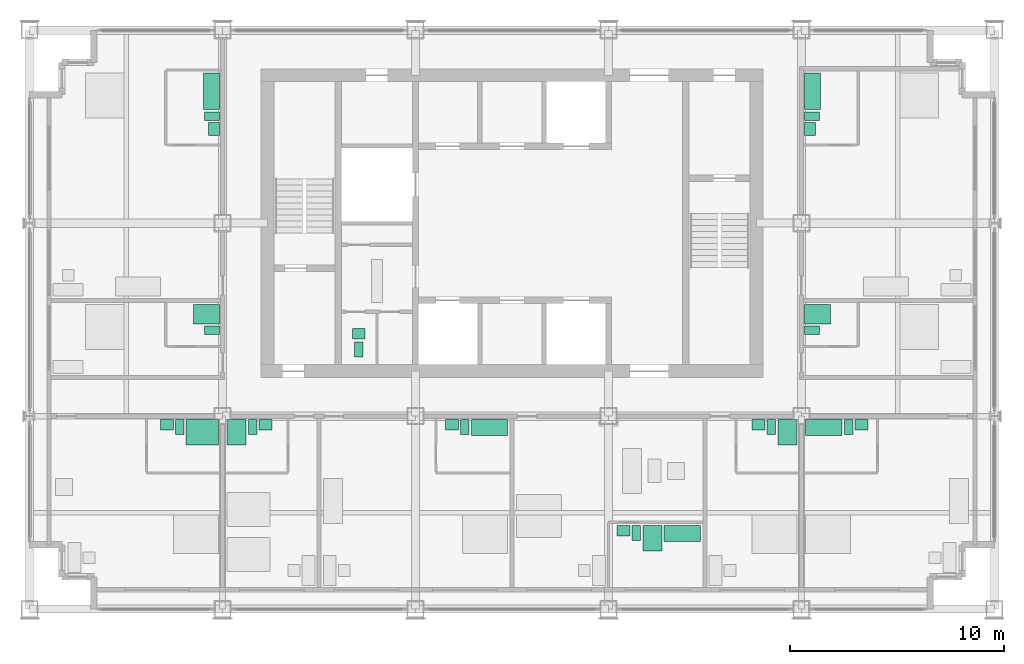
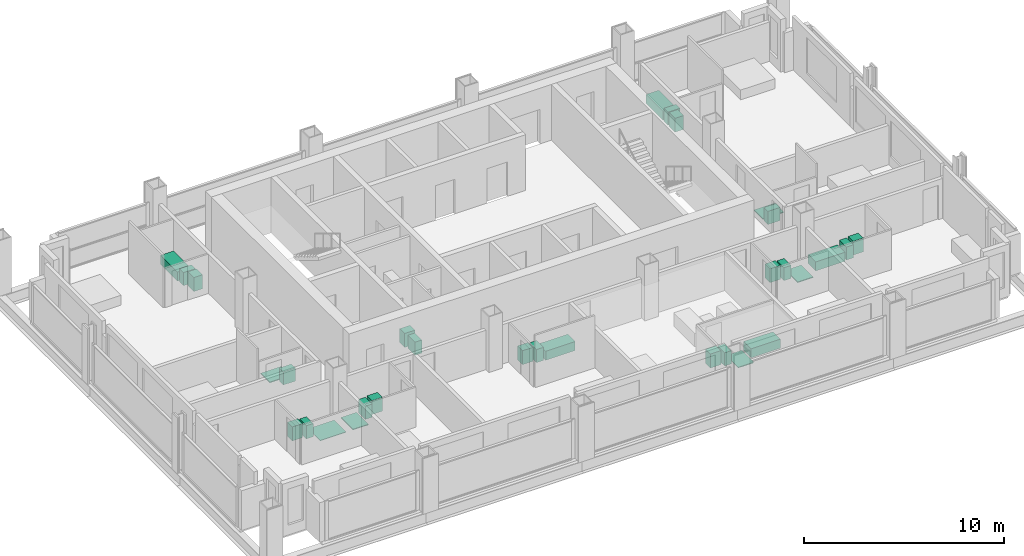
# One storey, part 12 of 13: 31 sanitary terminals.
"""IFC4 building model written with IfcOpenShell, lengths in metres."""

from ifc_helpers import new_model, si_unit, direction, frame, origin, origin_2d, place, context, subcontext, project, spatial, rectangle, extrude, element, save


model = new_model("IFC4")

# Units and contexts
model_context = context("Model", 3, precision=1e-05, world=origin(), true_north=direction((0.0, 1.0)))
body_context = subcontext(model_context, "Body", "Model", "MODEL_VIEW")
ifc_project = project(units=[si_unit("LENGTHUNIT", "METRE"), si_unit("AREAUNIT", "SQUARE_METRE"), si_unit("VOLUMEUNIT", "CUBIC_METRE"), si_unit("PLANEANGLEUNIT", "RADIAN"), si_unit("MASSUNIT", "GRAM", prefix="KILO")], contexts=[model_context])

# Site, building, storey
site_placement = place(None, origin())
site = spatial("IfcSite", under=ifc_project, at=site_placement, CompositionType="ELEMENT")
building_placement = place(site_placement, origin())
building = spatial("IfcBuilding", under=site, at=building_placement, Name="Loomwork Tower", CompositionType="ELEMENT")
storey_placement = place(building_placement, frame((0.0, 0.0, 211.39990234375)))
storey = spatial("IfcBuildingStorey", under=building, at=storey_placement, Name="L58", CompositionType="ELEMENT", Elevation=211.39990234375)

# Sanitary terminals
sanitary_terminal_1_placement = place(storey_placement, frame((8.050048828125, 8.25, 0.0), z_axis=(0.0, 0.0, 1.0), x_axis=(1.0, 0.0, 0.0)))
element("IfcSanitaryTerminal", 1, at=sanitary_terminal_1_placement, inside=storey, Name="Roll-in shower floor L58", PredefinedType="SHOWER", context=body_context, shape_type="SweptSolid", body=[
    extrude(rectangle(XDim=1.5, YDim=1.199951171875, at=origin_2d()), origin(), (0.0, 0.0, 1.0), 0.030029296875),
])
sanitary_terminal_2_placement = place(storey_placement, frame((7.0, 8.5, 0.0), z_axis=(0.0, 0.0, 1.0), x_axis=(1.0, 0.0, 0.0)))
element("IfcSanitaryTerminal", 2, at=sanitary_terminal_2_placement, inside=storey, Name="WC L58", PredefinedType="TOILETPAN", context=body_context, shape_type="SweptSolid", body=[
    extrude(rectangle(XDim=0.39990234375, YDim=0.699951171875, at=origin_2d()), origin(), (0.0, 0.0, 1.0), 0.800048828125),
])
sanitary_terminal_3_placement = place(storey_placement, frame((6.39990234375, 8.60009765625, 0.0), z_axis=(0.0, 0.0, 1.0), x_axis=(1.0, 0.0, 0.0)))
element("IfcSanitaryTerminal", 3, at=sanitary_terminal_3_placement, inside=storey, Name="Basin vanity L58", PredefinedType="WASHHANDBASIN", context=body_context, shape_type="SweptSolid", body=[
    extrude(rectangle(XDim=0.60009765625, YDim=0.5, at=origin_2d()), origin(), (0.0, 0.0, 1.0), 0.85009765625),
])
sanitary_terminal_4_placement = place(storey_placement, frame((9.64990234375, 8.25, 0.0), z_axis=(0.0, 0.0, 1.0), x_axis=(1.0, 0.0, 0.0)))
element("IfcSanitaryTerminal", 4, at=sanitary_terminal_4_placement, inside=storey, Name="Shower tray L58", PredefinedType="SHOWER", context=body_context, shape_type="SweptSolid", body=[
    extrude(rectangle(XDim=0.89990234375, YDim=1.199951171875, at=origin_2d()), origin(), (0.0, 0.0, 1.0), 0.050048828125),
])
sanitary_terminal_5_placement = place(storey_placement, frame((10.39990234375, 8.5, 0.0), z_axis=(0.0, 0.0, 1.0), x_axis=(1.0, 0.0, 0.0)))
element("IfcSanitaryTerminal", 5, at=sanitary_terminal_5_placement, inside=storey, Name="WC L58", PredefinedType="TOILETPAN", context=body_context, shape_type="SweptSolid", body=[
    extrude(rectangle(XDim=0.39990234375, YDim=0.699951171875, at=origin_2d()), origin(), (0.0, 0.0, 1.0), 0.800048828125),
])
sanitary_terminal_6_placement = place(storey_placement, frame((11.0, 8.60009765625, 0.0), z_axis=(0.0, 0.0, 1.0), x_axis=(1.0, 0.0, 0.0)))
element("IfcSanitaryTerminal", 6, at=sanitary_terminal_6_placement, inside=storey, Name="Basin vanity L58", PredefinedType="WASHHANDBASIN", context=body_context, shape_type="SweptSolid", body=[
    extrude(rectangle(XDim=0.60009765625, YDim=0.5, at=origin_2d()), origin(), (0.0, 0.0, 1.0), 0.85009765625),
])
sanitary_terminal_7_placement = place(storey_placement, frame((21.449951171875, 8.47509765625, 0.0), z_axis=(0.0, 0.0, 1.0), x_axis=(1.0, 0.0, 0.0)))
element("IfcSanitaryTerminal", 7, at=sanitary_terminal_7_placement, inside=storey, Name="Bath L58", PredefinedType="BATH", context=body_context, shape_type="SweptSolid", body=[
    extrude(rectangle(XDim=1.699951171875, YDim=0.75, at=origin_2d()), origin(), (0.0, 0.0, 1.0), 0.550048828125),
])
sanitary_terminal_8_placement = place(storey_placement, frame((20.300048828125, 8.5, 0.0), z_axis=(0.0, 0.0, 1.0), x_axis=(1.0, 0.0, 0.0)))
element("IfcSanitaryTerminal", 8, at=sanitary_terminal_8_placement, inside=storey, Name="WC L58", PredefinedType="TOILETPAN", context=body_context, shape_type="SweptSolid", body=[
    extrude(rectangle(XDim=0.39990234375, YDim=0.699951171875, at=origin_2d()), origin(), (0.0, 0.0, 1.0), 0.800048828125),
])
sanitary_terminal_9_placement = place(storey_placement, frame((19.699951171875, 8.60009765625, 0.0), z_axis=(0.0, 0.0, 1.0), x_axis=(1.0, 0.0, 0.0)))
element("IfcSanitaryTerminal", 9, at=sanitary_terminal_9_placement, inside=storey, Name="Basin vanity L58", PredefinedType="WASHHANDBASIN", context=body_context, shape_type="SweptSolid", body=[
    extrude(rectangle(XDim=0.60009765625, YDim=0.5, at=origin_2d()), origin(), (0.0, 0.0, 1.0), 0.85009765625),
])
sanitary_terminal_10_placement = place(storey_placement, frame((30.449951171875, 3.52490234375, 0.0), z_axis=(0.0, 0.0, 1.0), x_axis=(1.0, 0.0, 0.0)))
element("IfcSanitaryTerminal", 10, at=sanitary_terminal_10_placement, inside=storey, Name="Bath L58", PredefinedType="BATH", context=body_context, shape_type="SweptSolid", body=[
    extrude(rectangle(XDim=1.699951171875, YDim=0.75, at=origin_2d()), origin(), (0.0, 0.0, 1.0), 0.550048828125),
])
sanitary_terminal_11_placement = place(storey_placement, frame((29.050048828125, 3.300048828125, 0.0), z_axis=(0.0, 0.0, 1.0), x_axis=(1.0, 0.0, 0.0)))
element("IfcSanitaryTerminal", 11, at=sanitary_terminal_11_placement, inside=storey, Name="Shower tray L58", PredefinedType="SHOWER", context=body_context, shape_type="SweptSolid", body=[
    extrude(rectangle(XDim=0.89990234375, YDim=1.199951171875, at=origin_2d()), origin(), (0.0, 0.0, 1.0), 0.050048828125),
])
sanitary_terminal_12_placement = place(storey_placement, frame((28.300048828125, 3.550048828125, 0.0), z_axis=(0.0, 0.0, 1.0), x_axis=(1.0, 0.0, 0.0)))
element("IfcSanitaryTerminal", 12, at=sanitary_terminal_12_placement, inside=storey, Name="WC L58", PredefinedType="TOILETPAN", context=body_context, shape_type="SweptSolid", body=[
    extrude(rectangle(XDim=0.39990234375, YDim=0.699951171875, at=origin_2d()), origin(), (0.0, 0.0, 1.0), 0.800048828125),
])
sanitary_terminal_13_placement = place(storey_placement, frame((27.699951171875, 3.64990234375, 0.0), z_axis=(0.0, 0.0, 1.0), x_axis=(1.0, 0.0, 0.0)))
element("IfcSanitaryTerminal", 13, at=sanitary_terminal_13_placement, inside=storey, Name="Basin vanity L58", PredefinedType="WASHHANDBASIN", context=body_context, shape_type="SweptSolid", body=[
    extrude(rectangle(XDim=0.60009765625, YDim=0.5, at=origin_2d()), origin(), (0.0, 0.0, 1.0), 0.85009765625),
])
sanitary_terminal_14_placement = place(storey_placement, frame((35.35009765625, 8.25, 0.0), z_axis=(0.0, 0.0, 1.0), x_axis=(1.0, 0.0, 0.0)))
element("IfcSanitaryTerminal", 14, at=sanitary_terminal_14_placement, inside=storey, Name="Shower tray L58", PredefinedType="SHOWER", context=body_context, shape_type="SweptSolid", body=[
    extrude(rectangle(XDim=0.89990234375, YDim=1.199951171875, at=origin_2d()), origin(), (0.0, 0.0, 1.0), 0.050048828125),
])
sanitary_terminal_15_placement = place(storey_placement, frame((34.60009765625, 8.5, 0.0), z_axis=(0.0, 0.0, 1.0), x_axis=(1.0, 0.0, 0.0)))
element("IfcSanitaryTerminal", 15, at=sanitary_terminal_15_placement, inside=storey, Name="WC L58", PredefinedType="TOILETPAN", context=body_context, shape_type="SweptSolid", body=[
    extrude(rectangle(XDim=0.39990234375, YDim=0.699951171875, at=origin_2d()), origin(), (0.0, 0.0, 1.0), 0.800048828125),
])
sanitary_terminal_16_placement = place(storey_placement, frame((34.0, 8.60009765625, 0.0), z_axis=(0.0, 0.0, 1.0), x_axis=(1.0, 0.0, 0.0)))
element("IfcSanitaryTerminal", 16, at=sanitary_terminal_16_placement, inside=storey, Name="Basin vanity L58", PredefinedType="WASHHANDBASIN", context=body_context, shape_type="SweptSolid", body=[
    extrude(rectangle(XDim=0.60009765625, YDim=0.5, at=origin_2d()), origin(), (0.0, 0.0, 1.0), 0.85009765625),
])
sanitary_terminal_17_placement = place(storey_placement, frame((37.050048828125, 8.47509765625, 0.0), z_axis=(0.0, 0.0, 1.0), x_axis=(1.0, 0.0, 0.0)))
element("IfcSanitaryTerminal", 17, at=sanitary_terminal_17_placement, inside=storey, Name="Bath L58", PredefinedType="BATH", context=body_context, shape_type="SweptSolid", body=[
    extrude(rectangle(XDim=1.699951171875, YDim=0.75, at=origin_2d()), origin(), (0.0, 0.0, 1.0), 0.550048828125),
])
sanitary_terminal_18_placement = place(storey_placement, frame((38.199951171875, 8.5, 0.0), z_axis=(0.0, 0.0, 1.0), x_axis=(1.0, 0.0, 0.0)))
element("IfcSanitaryTerminal", 18, at=sanitary_terminal_18_placement, inside=storey, Name="WC L58", PredefinedType="TOILETPAN", context=body_context, shape_type="SweptSolid", body=[
    extrude(rectangle(XDim=0.39990234375, YDim=0.699951171875, at=origin_2d()), origin(), (0.0, 0.0, 1.0), 0.800048828125),
])
sanitary_terminal_19_placement = place(storey_placement, frame((38.800048828125, 8.60009765625, 0.0), z_axis=(0.0, 0.0, 1.0), x_axis=(1.0, 0.0, 0.0)))
element("IfcSanitaryTerminal", 19, at=sanitary_terminal_19_placement, inside=storey, Name="Basin vanity L58", PredefinedType="WASHHANDBASIN", context=body_context, shape_type="SweptSolid", body=[
    extrude(rectangle(XDim=0.60009765625, YDim=0.5, at=origin_2d()), origin(), (0.0, 0.0, 1.0), 0.85009765625),
])
sanitary_terminal_20_placement = place(storey_placement, frame((8.25, 13.75, 0.0), z_axis=(0.0, 0.0, 1.0), x_axis=(1.0, 0.0, 0.0)))
element("IfcSanitaryTerminal", 20, at=sanitary_terminal_20_placement, inside=storey, Name="Shower tray L58", PredefinedType="SHOWER", context=body_context, shape_type="SweptSolid", body=[
    extrude(rectangle(XDim=1.199951171875, YDim=0.89990234375, at=origin_2d()), origin(), (0.0, 0.0, 1.0), 0.050048828125),
])
sanitary_terminal_21_placement = place(storey_placement, frame((8.5, 13.0, 0.0), z_axis=(0.0, 0.0, 1.0), x_axis=(1.0, 0.0, 0.0)))
element("IfcSanitaryTerminal", 21, at=sanitary_terminal_21_placement, inside=storey, Name="WC L58", PredefinedType="TOILETPAN", context=body_context, shape_type="SweptSolid", body=[
    extrude(rectangle(XDim=0.699951171875, YDim=0.39990234375, at=origin_2d()), origin(), (0.0, 0.0, 1.0), 0.800048828125),
])
sanitary_terminal_22_placement = place(storey_placement, frame((8.47509765625, 24.14990234375, 0.0), z_axis=(0.0, 0.0, 1.0), x_axis=(1.0, 0.0, 0.0)))
element("IfcSanitaryTerminal", 22, at=sanitary_terminal_22_placement, inside=storey, Name="Bath L58", PredefinedType="BATH", context=body_context, shape_type="SweptSolid", body=[
    extrude(rectangle(XDim=0.75, YDim=1.699951171875, at=origin_2d()), origin(), (0.0, 0.0, 1.0), 0.550048828125),
])
sanitary_terminal_23_placement = place(storey_placement, frame((8.5, 23.0, 0.0), z_axis=(0.0, 0.0, 1.0), x_axis=(1.0, 0.0, 0.0)))
element("IfcSanitaryTerminal", 23, at=sanitary_terminal_23_placement, inside=storey, Name="WC L58", PredefinedType="TOILETPAN", context=body_context, shape_type="SweptSolid", body=[
    extrude(rectangle(XDim=0.699951171875, YDim=0.39990234375, at=origin_2d()), origin(), (0.0, 0.0, 1.0), 0.800048828125),
])
sanitary_terminal_24_placement = place(storey_placement, frame((8.60009765625, 22.39990234375, 0.0), z_axis=(0.0, 0.0, 1.0), x_axis=(1.0, 0.0, 0.0)))
element("IfcSanitaryTerminal", 24, at=sanitary_terminal_24_placement, inside=storey, Name="Basin vanity L58", PredefinedType="WASHHANDBASIN", context=body_context, shape_type="SweptSolid", body=[
    extrude(rectangle(XDim=0.5, YDim=0.60009765625, at=origin_2d()), origin(), (0.0, 0.0, 1.0), 0.85009765625),
])
sanitary_terminal_25_placement = place(storey_placement, frame((36.75, 13.75, 0.0), z_axis=(0.0, 0.0, 1.0), x_axis=(1.0, 0.0, 0.0)))
element("IfcSanitaryTerminal", 25, at=sanitary_terminal_25_placement, inside=storey, Name="Shower tray L58", PredefinedType="SHOWER", context=body_context, shape_type="SweptSolid", body=[
    extrude(rectangle(XDim=1.199951171875, YDim=0.89990234375, at=origin_2d()), origin(), (0.0, 0.0, 1.0), 0.050048828125),
])
sanitary_terminal_26_placement = place(storey_placement, frame((36.5, 13.0, 0.0), z_axis=(0.0, 0.0, 1.0), x_axis=(1.0, 0.0, 0.0)))
element("IfcSanitaryTerminal", 26, at=sanitary_terminal_26_placement, inside=storey, Name="WC L58", PredefinedType="TOILETPAN", context=body_context, shape_type="SweptSolid", body=[
    extrude(rectangle(XDim=0.699951171875, YDim=0.39990234375, at=origin_2d()), origin(), (0.0, 0.0, 1.0), 0.800048828125),
])
sanitary_terminal_27_placement = place(storey_placement, frame((36.52490234375, 24.14990234375, 0.0), z_axis=(0.0, 0.0, 1.0), x_axis=(1.0, 0.0, 0.0)))
element("IfcSanitaryTerminal", 27, at=sanitary_terminal_27_placement, inside=storey, Name="Bath L58", PredefinedType="BATH", context=body_context, shape_type="SweptSolid", body=[
    extrude(rectangle(XDim=0.75, YDim=1.699951171875, at=origin_2d()), origin(), (0.0, 0.0, 1.0), 0.550048828125),
])
sanitary_terminal_28_placement = place(storey_placement, frame((36.5, 23.0, 0.0), z_axis=(0.0, 0.0, 1.0), x_axis=(1.0, 0.0, 0.0)))
element("IfcSanitaryTerminal", 28, at=sanitary_terminal_28_placement, inside=storey, Name="WC L58", PredefinedType="TOILETPAN", context=body_context, shape_type="SweptSolid", body=[
    extrude(rectangle(XDim=0.699951171875, YDim=0.39990234375, at=origin_2d()), origin(), (0.0, 0.0, 1.0), 0.800048828125),
])
sanitary_terminal_29_placement = place(storey_placement, frame((36.39990234375, 22.39990234375, 0.0), z_axis=(0.0, 0.0, 1.0), x_axis=(1.0, 0.0, 0.0)))
element("IfcSanitaryTerminal", 29, at=sanitary_terminal_29_placement, inside=storey, Name="Basin vanity L58", PredefinedType="WASHHANDBASIN", context=body_context, shape_type="SweptSolid", body=[
    extrude(rectangle(XDim=0.5, YDim=0.60009765625, at=origin_2d()), origin(), (0.0, 0.0, 1.0), 0.85009765625),
])
sanitary_terminal_30_placement = place(storey_placement, frame((15.35009765625, 12.10009765625, 0.0), z_axis=(0.0, 0.0, 1.0), x_axis=(1.0, 0.0, 0.0)))
element("IfcSanitaryTerminal", 30, at=sanitary_terminal_30_placement, inside=storey, Name="WC L58", PredefinedType="TOILETPAN", context=body_context, shape_type="SweptSolid", body=[
    extrude(rectangle(XDim=0.39990234375, YDim=0.699951171875, at=origin_2d()), origin(), (0.0, 0.0, 1.0), 0.800048828125),
])
sanitary_terminal_31_placement = place(storey_placement, frame((15.35009765625, 12.85009765625, 0.0), z_axis=(0.0, 0.0, 1.0), x_axis=(1.0, 0.0, 0.0)))
element("IfcSanitaryTerminal", 31, at=sanitary_terminal_31_placement, inside=storey, Name="Basin L58", PredefinedType="WASHHANDBASIN", context=body_context, shape_type="SweptSolid", body=[
    extrude(rectangle(XDim=0.60009765625, YDim=0.5, at=origin_2d()), origin(), (0.0, 0.0, 1.0), 0.85009765625),
])

save(model, "model.ifc")
